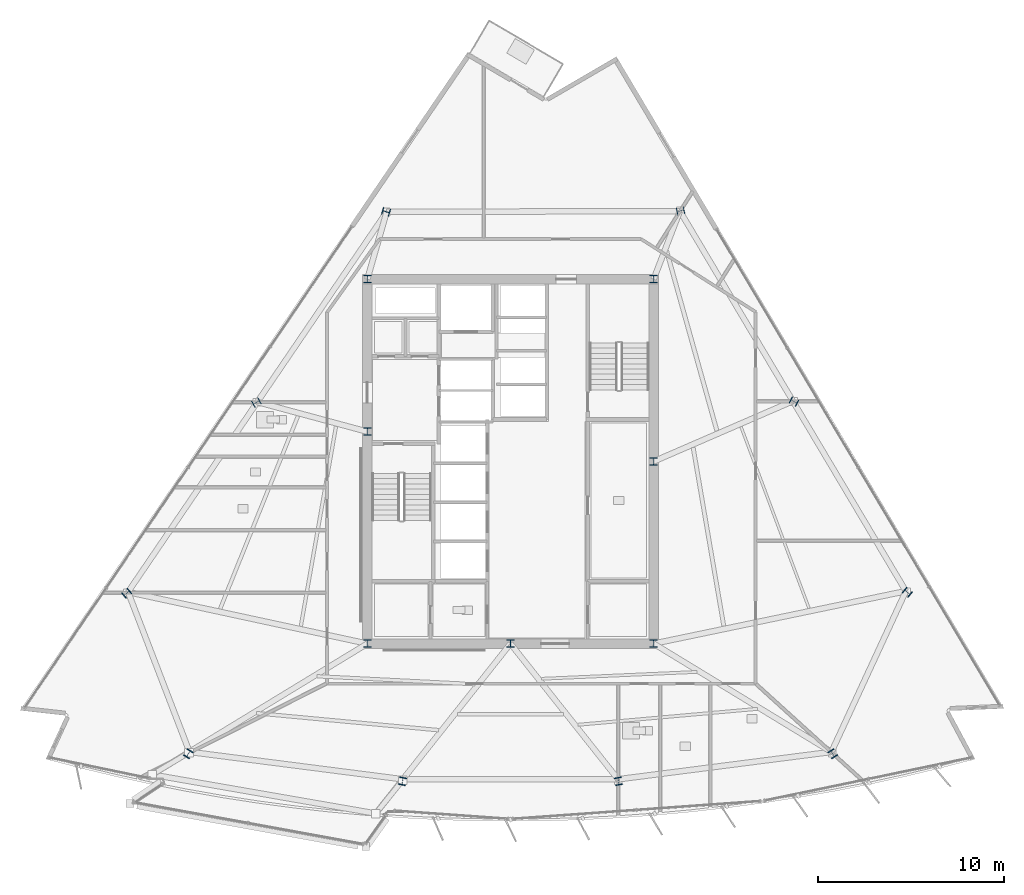
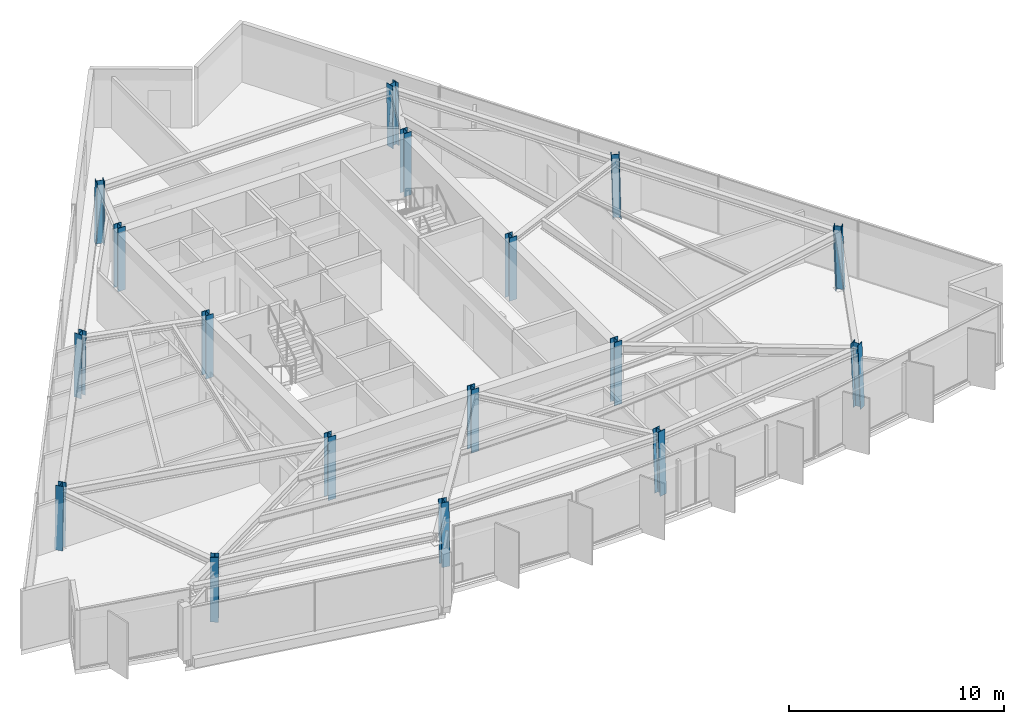
# One storey, part 1 of 14: 17 columns.
"""IFC4 building model written with IfcOpenShell, lengths in metres."""

from ifc_helpers import new_model, si_unit, direction, frame, origin, origin_2d, place, context, subcontext, project, spatial, i_section, extrude, material, material_profile, profile_set, type_object, element, save


model = new_model("IFC4")

# Units and contexts
model_context = context("Model", 3, precision=1e-05, world=origin(), true_north=direction((0.0, 1.0)))
body_context = subcontext(model_context, "Body", "Model", "MODEL_VIEW")
ifc_project = project(units=[si_unit("LENGTHUNIT", "METRE"), si_unit("AREAUNIT", "SQUARE_METRE"), si_unit("VOLUMEUNIT", "CUBIC_METRE"), si_unit("PLANEANGLEUNIT", "RADIAN"), si_unit("MASSUNIT", "GRAM", prefix="KILO")], contexts=[model_context])

# Site, building, storey
site_placement = place(None, origin())
site = spatial("IfcSite", under=ifc_project, at=site_placement, CompositionType="ELEMENT")
building_placement = place(site_placement, origin())
building = spatial("IfcBuilding", under=site, at=building_placement, Name="Savorim Split Tower", CompositionType="ELEMENT")
storey_placement = place(building_placement, frame((0.0, 0.0, 178.199951171875)))
storey = spatial("IfcBuildingStorey", under=building, at=storey_placement, Name="L47", CompositionType="ELEMENT", Elevation=178.199951171875)

# Columns
ifc_material = material(Name="Steel S460", Category="steel")
ifc_material_profile_1 = material_profile(ifc_material, i_section(OverallWidth=0.40087890625, OverallDepth=0.39892578125, WebThickness=0.015625, FlangeThickness=0.02490234375, FilletRadius=0.014892578125, at=origin_2d()), Name="HD 400x314")
ifc_profile_set_1 = profile_set([ifc_material_profile_1], Name="Steel S460")
column_type_1 = type_object("IfcColumnType", Name="COL-HD-314", PredefinedType="COLUMN", material=ifc_profile_set_1)
column_1_placement = place(storey_placement, frame((-17.33837890625, -15.341796875, 0.005615234375), z_axis=(0.020596292833, 0.033511459955, 0.999226087917), x_axis=(-0.851954850327, 0.523615252838, 0.0)))
element("IfcColumn", 1, at=column_1_placement, inside=storey, type_object=column_type_1, Name="L47 Tapered Perimeter Column PC-S1", PredefinedType="COLUMN", context=body_context, shape_type="SweptSolid", body=[
    extrude(i_section(OverallWidth=0.40087890625, OverallDepth=0.39892578125, WebThickness=0.015625, FlangeThickness=0.02490234375, FilletRadius=0.014892578125, at=origin_2d()), origin(), (0.0, 0.0, 1.0), 3.591552734375),
])
for number, where, z_axis, x_axis, name in (
    (2, (-5.81103515625, -16.82177734375, 0.005615234375), (0.006934288159, 0.035283289748, 0.999353293441), (-0.981229659911, 0.192842823335, 0.0), "L47 Tapered Perimeter Column PC-S2"),
    (3, (5.81103515625, -16.82177734375, 0.005615234375), (-0.006934288159, 0.035283289748, 0.999353293441), (-0.981229659911, -0.192842823335, 0.0), "L47 Tapered Perimeter Column PC-S3"),
):
    element("IfcColumn", number, at=place(storey_placement, frame(where, z_axis=z_axis, x_axis=x_axis)), inside=storey, type_object=column_type_1, Name=name, PredefinedType="COLUMN", context=body_context, shape_type="SweptSolid", body=[
        extrude(i_section(OverallWidth=0.40087890625, OverallDepth=0.39892578125, WebThickness=0.015625, FlangeThickness=0.02490234375, FilletRadius=0.014892578125, at=origin_2d()), origin(), (0.0, 0.0, 1.0), 3.59130859375),
    ])
column_2_placement = place(storey_placement, frame((17.33837890625, -15.341796875, 0.005615234375), z_axis=(-0.020596292833, 0.033511459955, 0.999226087917), x_axis=(-0.851954850327, -0.523615252838, 0.0)))
element("IfcColumn", 4, at=column_2_placement, inside=storey, type_object=column_type_1, Name="L47 Tapered Perimeter Column PC-S4", PredefinedType="COLUMN", context=body_context, shape_type="SweptSolid", body=[
    extrude(i_section(OverallWidth=0.40087890625, OverallDepth=0.39892578125, WebThickness=0.015625, FlangeThickness=0.02490234375, FilletRadius=0.014892578125, at=origin_2d()), origin(), (0.0, 0.0, 1.0), 3.591552734375),
])
column_3_placement = place(storey_placement, frame((21.3583984375, -6.652587890625, 0.005615234375), z_axis=(-0.026107436898, 0.021620221181, 0.999425318758), x_axis=(-0.637813971185, -0.770190455771, 0.0)))
element("IfcColumn", 5, at=column_3_placement, inside=storey, type_object=column_type_1, Name="L47 Tapered Perimeter Column PC-E1", PredefinedType="COLUMN", context=body_context, shape_type="SweptSolid", body=[
    extrude(i_section(OverallWidth=0.40087890625, OverallDepth=0.39892578125, WebThickness=0.015625, FlangeThickness=0.02490234375, FilletRadius=0.014892578125, at=origin_2d()), origin(), (0.0, 0.0, 1.0), 3.5908203125),
])
column_4_placement = place(storey_placement, frame((15.25537109375, 3.611083984375, 0.005615234375), z_axis=(-0.018907314261, 0.009589680974, 0.999775250487), x_axis=(-0.452339157861, -0.891845999187, 0.0)))
element("IfcColumn", 6, at=column_4_placement, inside=storey, type_object=column_type_1, Name="L47 Tapered Perimeter Column PC-E2", PredefinedType="COLUMN", context=body_context, shape_type="SweptSolid", body=[
    extrude(i_section(OverallWidth=0.40087890625, OverallDepth=0.39892578125, WebThickness=0.015625, FlangeThickness=0.02490234375, FilletRadius=0.014892578125, at=origin_2d()), origin(), (0.0, 0.0, 1.0), 3.589599609375),
])
for number, where, z_axis, x_axis, name in (
    (7, (9.15234375, 13.875, 0.005615234375), (-0.011767853257, -0.00258484638, 0.999927415465), (0.214538664031, -0.976715496773, 0.0), "L47 Tapered Perimeter Column PC-E3"),
    (8, (-6.6923828125, 13.826171875, 0.005615234375), (0.008775143007, -0.002584925847, 0.999958156636), (0.282568886397, 0.959247009086, 0.0), "L47 Tapered Perimeter Column PC-W1"),
):
    element("IfcColumn", number, at=place(storey_placement, frame(where, z_axis=z_axis, x_axis=x_axis)), inside=storey, type_object=column_type_1, Name=name, PredefinedType="COLUMN", context=body_context, shape_type="SweptSolid", body=[
        extrude(i_section(OverallWidth=0.40087890625, OverallDepth=0.39892578125, WebThickness=0.015625, FlangeThickness=0.02490234375, FilletRadius=0.014892578125, at=origin_2d()), origin(), (0.0, 0.0, 1.0), 3.589111328125),
    ])
column_5_placement = place(storey_placement, frame((-13.6748046875, 3.5625, 0.005615234375), z_axis=(0.017071567417, 0.009521989794, 0.999808928394), x_axis=(-0.487119351792, 0.873335409284, 0.0)))
element("IfcColumn", 9, at=column_5_placement, inside=storey, type_object=column_type_1, Name="L47 Tapered Perimeter Column PC-W2", PredefinedType="COLUMN", context=body_context, shape_type="SweptSolid", body=[
    extrude(i_section(OverallWidth=0.40087890625, OverallDepth=0.39892578125, WebThickness=0.015625, FlangeThickness=0.02490234375, FilletRadius=0.014892578125, at=origin_2d()), origin(), (0.0, 0.0, 1.0), 3.589599609375),
])
column_6_placement = place(storey_placement, frame((-20.65673828125, -6.701416015625, 0.005615234375), z_axis=(0.025224163578, 0.021620711639, 0.999447990843), x_axis=(-0.650791373456, 0.759256602365, 0.0)))
element("IfcColumn", 10, at=column_6_placement, inside=storey, type_object=column_type_1, Name="L47 Tapered Perimeter Column PC-W3", PredefinedType="COLUMN", context=body_context, shape_type="SweptSolid", body=[
    extrude(i_section(OverallWidth=0.40087890625, OverallDepth=0.39892578125, WebThickness=0.015625, FlangeThickness=0.02490234375, FilletRadius=0.014892578125, at=origin_2d()), origin(), (0.0, 0.0, 1.0), 3.5908203125),
])
ifc_material_profile_2 = material_profile(ifc_material, i_section(OverallWidth=0.404052734375, OverallDepth=0.406982421875, WebThickness=0.017333984375, FlangeThickness=0.028076171875, FilletRadius=0.014892578125, at=origin_2d()), Name="HD 400x347")
ifc_profile_set_2 = profile_set([ifc_material_profile_2], Name="Steel S460")
column_type_2 = type_object("IfcColumnType", Name="COL-HD-347", PredefinedType="COLUMN", material=ifc_profile_set_2)
for number, where, z_axis, x_axis, name in (
    (11, (-7.699951171875, -9.39990234375, 0.0), (0.0, 0.0, 1.0), (1.0, 0.0, 0.0), "L47 Core Structural Column TC-C1"),
    (12, (7.699951171875, -9.39990234375, 0.0), (0.0, 0.0, 1.0), (1.0, 0.0, 0.0), "L47 Core Structural Column TC-C2"),
    (13, (7.699951171875, 10.199951171875, 0.0), (0.0, 0.0, 1.0), (1.0, 0.0, 0.0), "L47 Core Structural Column TC-C3"),
    (14, (-7.699951171875, 10.199951171875, 0.0), (0.0, 0.0, 1.0), (1.0, 0.0, 0.0), "L47 Core Structural Column TC-C4"),
    (15, (0.0, -9.39990234375, 0.0), (0.0, 0.0, 1.0), (1.0, 0.0, 0.0), "L47 Core Structural Column TC-C5"),
    (16, (7.699951171875, 0.39990234375, 0.0), (0.0, 0.0, 1.0), (1.0, 0.0, 0.0), "L47 Core Structural Column TC-C6"),
    (17, (-7.699951171875, 2.0, 0.0), (0.0, 0.0, 1.0), (1.0, 0.0, 0.0), "L47 Core Structural Column TC-C7"),
):
    element("IfcColumn", number, at=place(storey_placement, frame(where, z_axis=z_axis, x_axis=x_axis)), inside=storey, type_object=column_type_2, Name=name, PredefinedType="COLUMN", context=body_context, shape_type="SweptSolid", body=[
        extrude(i_section(OverallWidth=0.404052734375, OverallDepth=0.406982421875, WebThickness=0.017333984375, FlangeThickness=0.028076171875, FilletRadius=0.014892578125, at=origin_2d()), origin(), (0.0, 0.0, 1.0), 3.60009765625),
    ])

save(model, "model.ifc")
